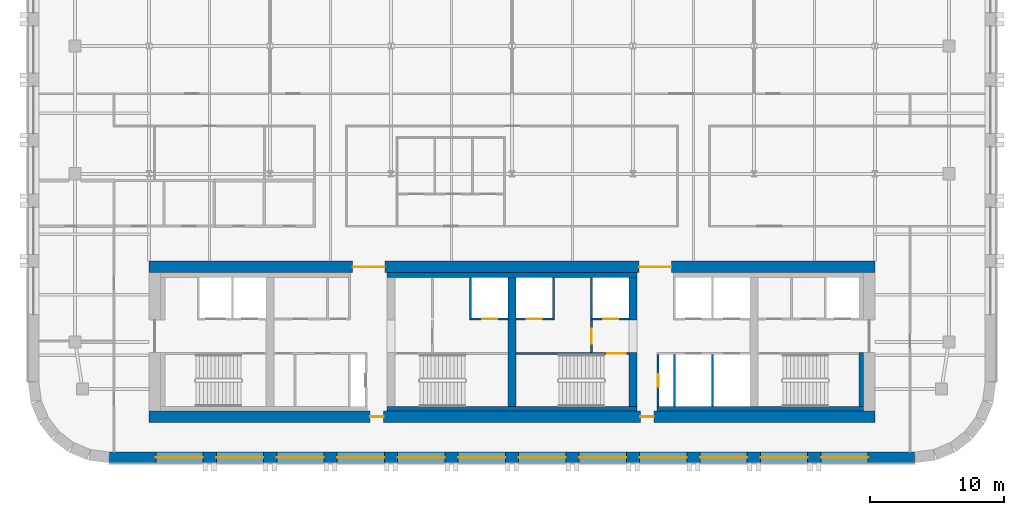
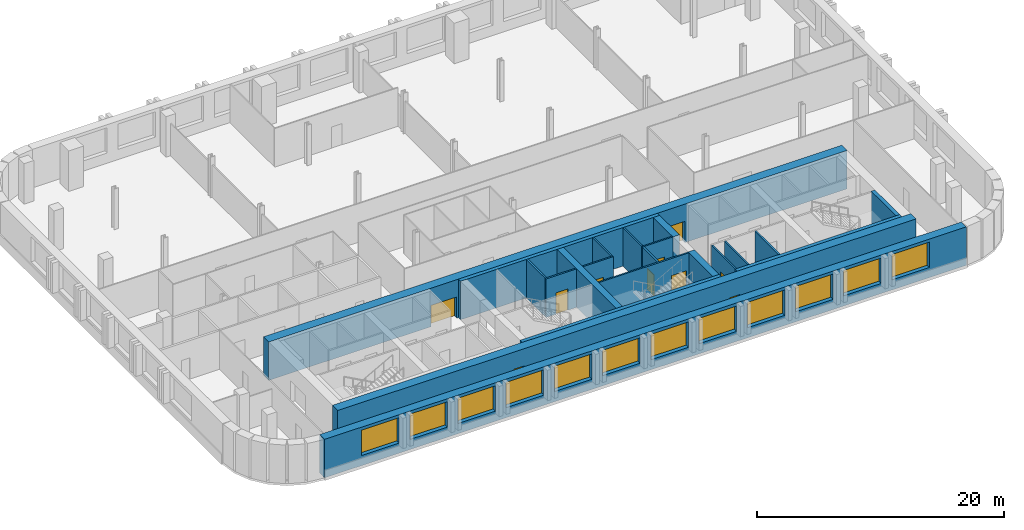
# One storey, part 5 of 10: 21 walls, 12 windows, 10 doors, 22 openings.
"""IFC4 building model written with IfcOpenShell, lengths in metres."""

from ifc_helpers import new_model, si_unit, direction, frame, frame_2d, origin, place, context, subcontext, project, spatial, rectangle, extrude, material, layer, layer_set, type_object, element, fill, save


model = new_model("IFC4")

# Units and contexts
model_context = context("Model", 3, precision=1e-05, world=origin(), true_north=direction((0.0, 1.0)))
body_context = subcontext(model_context, "Body", "Model", "MODEL_VIEW")
ifc_project = project(units=[si_unit("LENGTHUNIT", "METRE"), si_unit("AREAUNIT", "SQUARE_METRE"), si_unit("VOLUMEUNIT", "CUBIC_METRE"), si_unit("PLANEANGLEUNIT", "RADIAN"), si_unit("MASSUNIT", "GRAM", prefix="KILO")], contexts=[model_context])

# Site, building, storey
site_placement = place(None, origin())
site = spatial("IfcSite", under=ifc_project, at=site_placement, CompositionType="ELEMENT")
building_placement = place(site_placement, origin())
building = spatial("IfcBuilding", under=site, at=building_placement, Name="Zellij Exchange Tower", CompositionType="ELEMENT")
storey_placement = place(building_placement, frame((0.0, 0.0, 192.5)))
storey = spatial("IfcBuildingStorey", under=building, at=storey_placement, Name="L44", CompositionType="ELEMENT", Elevation=192.5)

# Walls
ifc_material_1 = material(Name="Concrete C60/75", Category="concrete")
ifc_layer_1 = layer(ifc_material_1, 0.60009765625)
ifc_layer_set_1 = layer_set([ifc_layer_1], Name="Concrete C60/75")
wall_type_1 = type_object("IfcWallType", Name="CORE-CW 600 C60/75", PredefinedType="SHEAR", material=ifc_layer_set_1)
wall_1_placement = place(storey_placement, frame((0.0, -12.800048828125, 0.0), z_axis=(0.0, 0.0, 1.0), x_axis=(0.0, 1.0, 0.0)))
element("IfcWall", 1, at=wall_1_placement, inside=storey, type_object=wall_type_1, Name="Core cross wall x 0 L44", PredefinedType="SHEAR", context=body_context, shape_type="SweptSolid", body=[
    extrude(rectangle(XDim=9.60009765625, YDim=0.60009765625, at=frame_2d((4.800048828125, 0.0))), origin(), (0.0, 0.0, 1.0), 3.800048828125),
])
wall_2_placement = place(storey_placement, frame((9.0, -12.800048828125, 0.0), z_axis=(0.0, 0.0, 1.0), x_axis=(0.0, 1.0, 0.0)))
element("IfcWall", 2, at=wall_2_placement, inside=storey, type_object=wall_type_1, Name="Core cross wall pier x 9 a L44", PredefinedType="SHEAR", context=body_context, shape_type="SweptSolid", body=[
    extrude(rectangle(XDim=4.0, YDim=0.60009765625, at=frame_2d((2.0, 0.0))), origin(), (0.0, 0.0, 1.0), 3.800048828125),
])
wall_3_placement = place(storey_placement, frame((9.0, -6.375, 0.0), z_axis=(0.0, 0.0, 1.0), x_axis=(0.0, 1.0, 0.0)))
element("IfcWall", 3, at=wall_3_placement, inside=storey, type_object=wall_type_1, Name="Core cross wall pier x 9 b L44", PredefinedType="SHEAR", context=body_context, shape_type="SweptSolid", body=[
    extrude(rectangle(XDim=3.175048828125, YDim=0.60009765625, at=frame_2d((1.58740234375, 0.0))), origin(), (0.0, 0.0, 1.0), 3.800048828125),
])
ifc_material_2 = material(Name="Concrete C30/37", Category="concrete")
ifc_layer_2 = layer(ifc_material_2, 0.35009765625)
ifc_layer_set_2 = layer_set([ifc_layer_2], Name="Concrete C30/37")
wall_type_2 = type_object("IfcWallType", Name="CORE-LW 350 C30/37", PredefinedType="SHEAR", material=ifc_layer_set_2)
for number, where, z_axis, x_axis, name in (
    (4, (-9.300048828125, -3.02490234375, 0.0), (0.0, 0.0, 1.0), (1.0, 0.0, 0.0), "Core wall lining front.1 L44"),
    (5, (-9.300048828125, -12.97509765625, 0.0), (0.0, 0.0, 1.0), (1.0, 0.0, 0.0), "Core wall lining rear.1 L44"),
):
    element("IfcWall", number, at=place(storey_placement, frame(where, z_axis=z_axis, x_axis=x_axis)), inside=storey, type_object=wall_type_2, Name=name, PredefinedType="SHEAR", context=body_context, shape_type="SweptSolid", body=[
        extrude(rectangle(XDim=18.60009765625, YDim=0.35009765625, at=frame_2d((9.300048828125, 0.0))), origin(), (0.0, 0.0, 1.0), 3.800048828125),
    ])
wall_4_placement = place(storey_placement, frame((10.800048828125, -12.97509765625, 0.0), z_axis=(0.0, 0.0, 1.0), x_axis=(1.0, 0.0, 0.0)))
element("IfcWall", 6, at=wall_4_placement, inside=storey, type_object=wall_type_2, Name="Core wall lining rear.2 L44", PredefinedType="SHEAR", context=body_context, shape_type="SweptSolid", body=[
    extrude(rectangle(XDim=15.349853515625, YDim=0.35009765625, at=frame_2d((7.6748046875, 0.0))), origin(), (0.0, 0.0, 1.0), 3.800048828125),
])
wall_5_placement = place(storey_placement, frame((25.97509765625, -12.800048828125, 0.0), z_axis=(0.0, 0.0, 1.0), x_axis=(0.0, 1.0, 0.0)))
element("IfcWall", 7, at=wall_5_placement, inside=storey, type_object=wall_type_2, Name="Core wall lining end e.0 L44", PredefinedType="SHEAR", context=body_context, shape_type="SweptSolid", body=[
    extrude(rectangle(XDim=4.0, YDim=0.35009765625, at=frame_2d((2.0, 0.0))), origin(), (0.0, 0.0, 1.0), 3.800048828125),
])

# Wall, opening, door
ifc_material_3 = material(Name="Gypsum shaft wall system")
ifc_layer_3 = layer(ifc_material_3, 0.14990234375)
ifc_layer_set_3 = layer_set([ifc_layer_3], Name="Gypsum shaft wall system")
wall_type_3 = type_object("IfcWallType", Name="CORE-PW 150 Firefighting lobby wall", PredefinedType="PARTITIONING", material=ifc_layer_set_3)
wall_6_placement = place(storey_placement, frame((5.925048828125, -8.800048828125, 0.0), z_axis=(0.0, 0.0, 1.0), x_axis=(0.0, 1.0, 0.0)))
wall_6 = element("IfcWall", 8, at=wall_6_placement, inside=storey, type_object=wall_type_3, Name="Firefighting lobby wall L44", PredefinedType="PARTITIONING", context=body_context, shape_type="SweptSolid", body=[
    extrude(rectangle(XDim=2.425048828125, YDim=0.14990234375, at=frame_2d((1.21240234375, 0.0))), origin(), (0.0, 0.0, 1.0), 3.800048828125),
])
opening_1_placement = place(wall_6_placement, frame((0.662109375, 0.0, 0.0)))
opening_1 = element("IfcOpeningElement", 9, at=opening_1_placement, cuts=wall_6, Name="Opening CA-23.16", PredefinedType="OPENING", context=body_context, shape_type="SweptSolid", body=[
    extrude(rectangle(XDim=1.10009765625, YDim=2.10009765625, at=frame_2d((0.550048828125, 1.050048828125))), frame((0.0, 0.0869140625, 0.0), z_axis=(0.0, -1.0, 0.0), x_axis=(1.0, 0.0, 0.0)), (0.0, 0.0, 1.0), 0.173828125),
])
ifc_material_4 = material(Name="Hollow metal fire door")
door_type_1 = type_object("IfcDoorType", Name="CORE-D F Firefighting lobby door 1100x2100 1 HR", OperationType="NOTDEFINED", PredefinedType="DOOR", material=ifc_material_4)
door_1_placement = place(opening_1_placement, origin())
door_1 = element("IfcDoor", 10, at=door_1_placement, inside=storey, type_object=door_type_1, Name="Firefighting lobby door CA-23.16", OperationType="SINGLE_SWING_RIGHT", OverallHeight=2.10009765625, OverallWidth=1.10009765625, PredefinedType="DOOR", context=body_context, shape_type="SweptSolid", body=[
    extrude(rectangle(XDim=1.10009765625, YDim=2.10009765625, at=frame_2d((0.550048828125, 1.050048828125))), frame((0.0, 0.02490234375, 0.0), z_axis=(0.0, -1.0, 0.0), x_axis=(1.0, 0.0, 0.0)), (0.0, 0.0, 1.0), 0.050048828125),
])
fill(opening_1, door_1)

ifc_material_5 = material(Name="Gypsum board partition")
ifc_layer_4 = layer(ifc_material_5, 0.14990234375)
ifc_layer_set_4 = layer_set([ifc_layer_4], Name="Gypsum board partition")
wall_type_4 = type_object("IfcWallType", Name="CORE-PW 150 Lift lobby wall", PredefinedType="PARTITIONING", material=ifc_layer_set_4)
wall_7_placement = place(storey_placement, frame((10.875, -12.800048828125, 0.0), z_axis=(0.0, 0.0, 1.0), x_axis=(0.0, 1.0, 0.0)))
wall_7 = element("IfcWall", 11, at=wall_7_placement, inside=storey, type_object=wall_type_4, Name="Lift lobby wall L44", PredefinedType="PARTITIONING", context=body_context, shape_type="SweptSolid", body=[
    extrude(rectangle(XDim=3.85009765625, YDim=0.14990234375, at=frame_2d((1.925048828125, 0.0))), origin(), (0.0, 0.0, 1.0), 3.800048828125),
])
opening_2_placement = place(wall_7_placement, frame((1.47509765625, 0.0, 0.0)))
opening_2 = element("IfcOpeningElement", 12, at=opening_2_placement, cuts=wall_7, Name="Opening CA-23.21", PredefinedType="OPENING", context=body_context, shape_type="SweptSolid", body=[
    extrude(rectangle(XDim=0.89990234375, YDim=2.10009765625, at=frame_2d((0.449951171875, 1.050048828125))), frame((0.0, 0.0869140625, 0.0), z_axis=(0.0, -1.0, 0.0), x_axis=(1.0, 0.0, 0.0)), (0.0, 0.0, 1.0), 0.173828125),
])
door_type_2 = type_object("IfcDoorType", Name="CORE-D RD Riser door 900x2100 1.5 HR", OperationType="NOTDEFINED", PredefinedType="DOOR", material=ifc_material_4)
door_2_placement = place(opening_2_placement, origin())
door_2 = element("IfcDoor", 13, at=door_2_placement, inside=storey, type_object=door_type_2, Name="Riser door CA-23.21", OperationType="SINGLE_SWING_LEFT", OverallHeight=2.10009765625, OverallWidth=0.89990234375, PredefinedType="DOOR", context=body_context, shape_type="SweptSolid", body=[
    extrude(rectangle(XDim=0.89990234375, YDim=2.10009765625, at=frame_2d((0.449951171875, 1.050048828125))), frame((0.0, 0.02490234375, 0.0), z_axis=(0.0, -1.0, 0.0), x_axis=(1.0, 0.0, 0.0)), (0.0, 0.0, 1.0), 0.050048828125),
])
fill(opening_2, door_2)

# Walls
ifc_layer_5 = layer(ifc_material_3, 0.14990234375)
ifc_layer_set_5 = layer_set([ifc_layer_5], Name="Gypsum shaft wall system")
wall_type_5 = type_object("IfcWallType", Name="CORE-PW 150 Lift shaft wall", PredefinedType="PARTITIONING", material=ifc_layer_set_5)
for number, where, z_axis, x_axis, name in (
    (14, (-3.074951171875, -6.22509765625, 0.0), (0.0, 0.0, 1.0), (0.0, 1.0, 0.0), "Lift shaft wall L44"),
    (15, (3.074951171875, -6.22509765625, 0.0), (0.0, 0.0, 1.0), (0.0, 1.0, 0.0), "Lift shaft wall L44"),
    (16, (5.925048828125, -6.22509765625, 0.0), (0.0, 0.0, 1.0), (0.0, 1.0, 0.0), "Lift shaft wall L44"),
):
    element("IfcWall", number, at=place(storey_placement, frame(where, z_axis=z_axis, x_axis=x_axis)), inside=storey, type_object=wall_type_5, Name=name, PredefinedType="PARTITIONING", context=body_context, shape_type="SweptSolid", body=[
        extrude(rectangle(XDim=3.025146484375, YDim=0.14990234375, at=frame_2d((1.5126953125, 0.0))), origin(), (0.0, 0.0, 1.0), 3.800048828125),
    ])
for number, where, z_axis, x_axis, name in (
    (17, (12.074951171875, -12.800048828125, 0.0), (0.0, 0.0, 1.0), (0.0, 1.0, 0.0), "Lift shaft wall L44"),
    (18, (14.925048828125, -12.800048828125, 0.0), (0.0, 0.0, 1.0), (0.0, 1.0, 0.0), "Lift shaft wall L44"),
):
    element("IfcWall", number, at=place(storey_placement, frame(where, z_axis=z_axis, x_axis=x_axis)), inside=storey, type_object=wall_type_5, Name=name, PredefinedType="PARTITIONING", context=body_context, shape_type="SweptSolid", body=[
        extrude(rectangle(XDim=3.85009765625, YDim=0.14990234375, at=frame_2d((1.925048828125, 0.0))), origin(), (0.0, 0.0, 1.0), 3.800048828125),
    ])

# Wall, opening, door
wall_8_placement = place(storey_placement, frame((-3.14990234375, -6.300048828125, 0.0), z_axis=(0.0, 0.0, 1.0), x_axis=(1.0, 0.0, 0.0)))
wall_8 = element("IfcWall", 19, at=wall_8_placement, inside=storey, type_object=wall_type_5, Name="Lift shaft wall L44", PredefinedType="PARTITIONING", context=body_context, shape_type="SweptSolid", body=[
    extrude(rectangle(XDim=2.849853515625, YDim=0.14990234375, at=frame_2d((1.4248046875, 0.0))), origin(), (0.0, 0.0, 1.0), 3.800048828125),
])
opening_3_placement = place(wall_8_placement, frame((0.949951171875, 0.0, 0.0)))
opening_3 = element("IfcOpeningElement", 20, at=opening_3_placement, cuts=wall_8, Name="Opening CA-23.14", PredefinedType="OPENING", context=body_context, shape_type="SweptSolid", body=[
    extrude(rectangle(XDim=1.10009765625, YDim=2.10009765625, at=frame_2d((0.550048828125, 1.050048828125))), frame((0.0, 0.0869140625, 0.0), z_axis=(0.0, -1.0, 0.0), x_axis=(1.0, 0.0, 0.0)), (0.0, 0.0, 1.0), 0.173828125),
])
door_type_3 = type_object("IfcDoorType", Name="CORE-D LD Lift landing door 1100x2100 1.5 HR", OperationType="NOTDEFINED", PredefinedType="DOOR", material=ifc_material_4)
door_3_placement = place(opening_3_placement, origin())
door_3 = element("IfcDoor", 21, at=door_3_placement, inside=storey, type_object=door_type_3, Name="Lift landing door CA-23.14", OperationType="SLIDING_TO_RIGHT", OverallHeight=2.10009765625, OverallWidth=1.10009765625, PredefinedType="DOOR", context=body_context, shape_type="SweptSolid", body=[
    extrude(rectangle(XDim=1.10009765625, YDim=2.10009765625, at=frame_2d((0.550048828125, 1.050048828125))), frame((0.0, 0.02490234375, 0.0), z_axis=(0.0, -1.0, 0.0), x_axis=(1.0, 0.0, 0.0)), (0.0, 0.0, 1.0), 0.050048828125),
])
fill(opening_3, door_3)

wall_9_placement = place(storey_placement, frame((0.300048828125, -6.300048828125, 0.0), z_axis=(0.0, 0.0, 1.0), x_axis=(1.0, 0.0, 0.0)))
wall_9 = element("IfcWall", 22, at=wall_9_placement, inside=storey, type_object=wall_type_5, Name="Lift shaft wall L44", PredefinedType="PARTITIONING", context=body_context, shape_type="SweptSolid", body=[
    extrude(rectangle(XDim=2.849853515625, YDim=0.14990234375, at=frame_2d((1.4248046875, 0.0))), origin(), (0.0, 0.0, 1.0), 3.800048828125),
])
opening_4_placement = place(wall_9_placement, frame((0.800048828125, 0.0, 0.0)))
opening_4 = element("IfcOpeningElement", 23, at=opening_4_placement, cuts=wall_9, Name="Opening CA-23.15", PredefinedType="OPENING", context=body_context, shape_type="SweptSolid", body=[
    extrude(rectangle(XDim=1.10009765625, YDim=2.10009765625, at=frame_2d((0.550048828125, 1.050048828125))), frame((0.0, 0.0869140625, 0.0), z_axis=(0.0, -1.0, 0.0), x_axis=(1.0, 0.0, 0.0)), (0.0, 0.0, 1.0), 0.173828125),
])
door_4_placement = place(opening_4_placement, origin())
door_4 = element("IfcDoor", 24, at=door_4_placement, inside=storey, type_object=door_type_3, Name="Lift landing door CA-23.15", OperationType="SLIDING_TO_LEFT", OverallHeight=2.10009765625, OverallWidth=1.10009765625, PredefinedType="DOOR", context=body_context, shape_type="SweptSolid", body=[
    extrude(rectangle(XDim=1.10009765625, YDim=2.10009765625, at=frame_2d((0.550048828125, 1.050048828125))), frame((0.0, 0.02490234375, 0.0), z_axis=(0.0, -1.0, 0.0), x_axis=(1.0, 0.0, 0.0)), (0.0, 0.0, 1.0), 0.050048828125),
])
fill(opening_4, door_4)

wall_10_placement = place(storey_placement, frame((5.85009765625, -6.300048828125, 0.0), z_axis=(0.0, 0.0, 1.0), x_axis=(1.0, 0.0, 0.0)))
wall_10 = element("IfcWall", 25, at=wall_10_placement, inside=storey, type_object=wall_type_5, Name="Lift shaft wall L44", PredefinedType="PARTITIONING", context=body_context, shape_type="SweptSolid", body=[
    extrude(rectangle(XDim=2.849853515625, YDim=0.14990234375, at=frame_2d((1.4248046875, 0.0))), origin(), (0.0, 0.0, 1.0), 3.800048828125),
])
opening_5_placement = place(wall_10_placement, frame((0.949951171875, 0.0, 0.0)))
opening_5 = element("IfcOpeningElement", 26, at=opening_5_placement, cuts=wall_10, Name="Opening CA-23.17", PredefinedType="OPENING", context=body_context, shape_type="SweptSolid", body=[
    extrude(rectangle(XDim=1.10009765625, YDim=2.10009765625, at=frame_2d((0.550048828125, 1.050048828125))), frame((0.0, 0.0869140625, 0.0), z_axis=(0.0, -1.0, 0.0), x_axis=(1.0, 0.0, 0.0)), (0.0, 0.0, 1.0), 0.173828125),
])
door_5_placement = place(opening_5_placement, origin())
door_5 = element("IfcDoor", 27, at=door_5_placement, inside=storey, type_object=door_type_3, Name="Lift landing door CA-23.17", OperationType="SLIDING_TO_LEFT", OverallHeight=2.10009765625, OverallWidth=1.10009765625, PredefinedType="DOOR", context=body_context, shape_type="SweptSolid", body=[
    extrude(rectangle(XDim=1.10009765625, YDim=2.10009765625, at=frame_2d((0.550048828125, 1.050048828125))), frame((0.0, 0.02490234375, 0.0), z_axis=(0.0, -1.0, 0.0), x_axis=(1.0, 0.0, 0.0)), (0.0, 0.0, 1.0), 0.050048828125),
])
fill(opening_5, door_5)

# Wall, openings, doors
ifc_layer_6 = layer(ifc_material_1, 0.85009765625)
ifc_layer_set_6 = layer_set([ifc_layer_6], Name="Concrete C60/75")
wall_type_6 = type_object("IfcWallType", Name="CORE-SW 850 C60/75", PredefinedType="SHEAR", material=ifc_layer_set_6)
wall_11_placement = place(storey_placement, frame((-27.0, -2.425048828125, 0.0), z_axis=(0.0, 0.0, 1.0), x_axis=(1.0, 0.0, 0.0)))
wall_11 = element("IfcWall", 28, at=wall_11_placement, inside=storey, type_object=wall_type_6, Name="Core shear wall front L44", PredefinedType="SHEAR", context=body_context, shape_type="SweptSolid", body=[
    extrude(rectangle(XDim=54.0, YDim=0.85009765625, at=frame_2d((27.0, 0.0))), origin(), (0.0, 0.0, 1.0), 3.800048828125),
])
opening_6_placement = place(wall_11_placement, frame((15.14990234375, 0.0, 0.0)))
opening_6 = element("IfcOpeningElement", 29, at=opening_6_placement, cuts=wall_11, Name="Opening CA-23.10", PredefinedType="OPENING", context=body_context, shape_type="SweptSolid", body=[
    extrude(rectangle(XDim=2.39990234375, YDim=2.10009765625, at=frame_2d((1.199951171875, 1.050048828125))), frame((0.0, 0.43701171875, 0.0), z_axis=(0.0, -1.0, 0.0), x_axis=(1.0, 0.0, 0.0)), (0.0, 0.0, 1.0), 0.8740234375),
])
opening_7_placement = place(wall_11_placement, frame((36.449951171875, 0.0, 0.0)))
opening_7 = element("IfcOpeningElement", 30, at=opening_7_placement, cuts=wall_11, Name="Opening CA-23.20", PredefinedType="OPENING", context=body_context, shape_type="SweptSolid", body=[
    extrude(rectangle(XDim=2.39990234375, YDim=2.10009765625, at=frame_2d((1.199951171875, 1.050048828125))), frame((0.0, 0.43701171875, 0.0), z_axis=(0.0, -1.0, 0.0), x_axis=(1.0, 0.0, 0.0)), (0.0, 0.0, 1.0), 0.8740234375),
])
door_type_4 = type_object("IfcDoorType", Name="CORE-D CE Core entrance door 2400x2100 20 MIN", OperationType="NOTDEFINED", PredefinedType="DOOR", material=ifc_material_4)
door_6_placement = place(opening_6_placement, origin())
door_6 = element("IfcDoor", 31, at=door_6_placement, inside=storey, type_object=door_type_4, Name="Core entrance door CA-23.10", OperationType="DOUBLE_DOOR_SINGLE_SWING", OverallHeight=2.10009765625, OverallWidth=2.39990234375, PredefinedType="DOOR", context=body_context, shape_type="SweptSolid", body=[
    extrude(rectangle(XDim=2.39990234375, YDim=2.10009765625, at=frame_2d((1.199951171875, 1.050048828125))), frame((0.0, 0.02490234375, 0.0), z_axis=(0.0, -1.0, 0.0), x_axis=(1.0, 0.0, 0.0)), (0.0, 0.0, 1.0), 0.050048828125),
])
fill(opening_6, door_6)
door_7_placement = place(opening_7_placement, origin())
door_7 = element("IfcDoor", 32, at=door_7_placement, inside=storey, type_object=door_type_4, Name="Core entrance door CA-23.20", OperationType="DOUBLE_DOOR_SINGLE_SWING", OverallHeight=2.10009765625, OverallWidth=2.39990234375, PredefinedType="DOOR", context=body_context, shape_type="SweptSolid", body=[
    extrude(rectangle(XDim=2.39990234375, YDim=2.10009765625, at=frame_2d((1.199951171875, 1.050048828125))), frame((0.0, 0.02490234375, 0.0), z_axis=(0.0, -1.0, 0.0), x_axis=(1.0, 0.0, 0.0)), (0.0, 0.0, 1.0), 0.050048828125),
])
fill(opening_7, door_7)

wall_12_placement = place(storey_placement, frame((-27.0, -13.574951171875, 0.0), z_axis=(0.0, 0.0, 1.0), x_axis=(1.0, 0.0, 0.0)))
wall_12 = element("IfcWall", 33, at=wall_12_placement, inside=storey, type_object=wall_type_6, Name="Core shear wall rear L44", PredefinedType="SHEAR", context=body_context, shape_type="SweptSolid", body=[
    extrude(rectangle(XDim=54.0, YDim=0.85009765625, at=frame_2d((27.0, 0.0))), origin(), (0.0, 0.0, 1.0), 3.800048828125),
])
opening_8_placement = place(wall_12_placement, frame((16.449951171875, 0.0, 0.0)))
opening_8 = element("IfcOpeningElement", 34, at=opening_8_placement, cuts=wall_12, Name="Opening CA-23.11", PredefinedType="OPENING", context=body_context, shape_type="SweptSolid", body=[
    extrude(rectangle(XDim=1.0, YDim=2.10009765625, at=frame_2d((0.5, 1.050048828125))), frame((0.0, 0.43701171875, 0.0), z_axis=(0.0, -1.0, 0.0), x_axis=(1.0, 0.0, 0.0)), (0.0, 0.0, 1.0), 0.8740234375),
])
opening_9_placement = place(wall_12_placement, frame((36.550048828125, 0.0, 0.0)))
opening_9 = element("IfcOpeningElement", 35, at=opening_9_placement, cuts=wall_12, Name="Opening CA-23.19", PredefinedType="OPENING", context=body_context, shape_type="SweptSolid", body=[
    extrude(rectangle(XDim=1.0, YDim=2.10009765625, at=frame_2d((0.5, 1.050048828125))), frame((0.0, 0.43701171875, 0.0), z_axis=(0.0, -1.0, 0.0), x_axis=(1.0, 0.0, 0.0)), (0.0, 0.0, 1.0), 0.8740234375),
])
door_type_5 = type_object("IfcDoorType", Name="CORE-D CR Core rear door 1000x2100 20 MIN", OperationType="NOTDEFINED", PredefinedType="DOOR", material=ifc_material_4)
door_8_placement = place(opening_8_placement, origin())
door_8 = element("IfcDoor", 36, at=door_8_placement, inside=storey, type_object=door_type_5, Name="Core rear door CA-23.11", OperationType="SINGLE_SWING_RIGHT", OverallHeight=2.10009765625, OverallWidth=1.0, PredefinedType="DOOR", context=body_context, shape_type="SweptSolid", body=[
    extrude(rectangle(XDim=1.0, YDim=2.10009765625, at=frame_2d((0.5, 1.050048828125))), frame((0.0, 0.02490234375, 0.0), z_axis=(0.0, -1.0, 0.0), x_axis=(1.0, 0.0, 0.0)), (0.0, 0.0, 1.0), 0.050048828125),
])
fill(opening_8, door_8)
door_9_placement = place(opening_9_placement, origin())
door_9 = element("IfcDoor", 37, at=door_9_placement, inside=storey, type_object=door_type_5, Name="Core rear door CA-23.19", OperationType="SINGLE_SWING_LEFT", OverallHeight=2.10009765625, OverallWidth=1.0, PredefinedType="DOOR", context=body_context, shape_type="SweptSolid", body=[
    extrude(rectangle(XDim=1.0, YDim=2.10009765625, at=frame_2d((0.5, 1.050048828125))), frame((0.0, 0.02490234375, 0.0), z_axis=(0.0, -1.0, 0.0), x_axis=(1.0, 0.0, 0.0)), (0.0, 0.0, 1.0), 0.050048828125),
])
fill(opening_9, door_9)

# Wall, opening, door
ifc_layer_7 = layer(ifc_material_1, 0.14990234375)
ifc_layer_set_7 = layer_set([ifc_layer_7], Name="Concrete C60/75")
wall_type_7 = type_object("IfcWallType", Name="CORE-SWS 150 C60/75", PredefinedType="SHEAR", material=ifc_layer_set_7)
wall_13_placement = place(storey_placement, frame((0.300048828125, -8.875, 0.0), z_axis=(0.0, 0.0, 1.0), x_axis=(1.0, 0.0, 0.0)))
wall_13 = element("IfcWall", 38, at=wall_13_placement, inside=storey, type_object=wall_type_7, Name="Stair enclosure wall L44", PredefinedType="SHEAR", context=body_context, shape_type="SweptSolid", body=[
    extrude(rectangle(XDim=8.39990234375, YDim=0.14990234375, at=frame_2d((4.199951171875, 0.0))), origin(), (0.0, 0.0, 1.0), 3.800048828125),
])
opening_10_placement = place(wall_13_placement, frame((6.77490234375, 0.0, 0.0)))
opening_10 = element("IfcOpeningElement", 39, at=opening_10_placement, cuts=wall_13, Name="Opening CA-23.18", PredefinedType="OPENING", context=body_context, shape_type="SweptSolid", body=[
    extrude(rectangle(XDim=1.39990234375, YDim=2.10009765625, at=frame_2d((0.699951171875, 1.050048828125))), frame((0.0, 0.0869140625, 0.0), z_axis=(0.0, -1.0, 0.0), x_axis=(1.0, 0.0, 0.0)), (0.0, 0.0, 1.0), 0.173828125),
])
door_type_6 = type_object("IfcDoorType", Name="CORE-D SD Stair door 1400x2100 1.5 HR", OperationType="NOTDEFINED", PredefinedType="DOOR", material=ifc_material_4)
door_10_placement = place(opening_10_placement, origin())
door_10 = element("IfcDoor", 40, at=door_10_placement, inside=storey, type_object=door_type_6, Name="Stair door CA-23.18", OperationType="DOUBLE_DOOR_SINGLE_SWING", OverallHeight=2.10009765625, OverallWidth=1.39990234375, PredefinedType="DOOR", context=body_context, shape_type="SweptSolid", body=[
    extrude(rectangle(XDim=1.39990234375, YDim=2.10009765625, at=frame_2d((0.699951171875, 1.050048828125))), frame((0.0, 0.02490234375, 0.0), z_axis=(0.0, -1.0, 0.0), x_axis=(1.0, 0.0, 0.0)), (0.0, 0.0, 1.0), 0.050048828125),
])
fill(opening_10, door_10)

# Wall, openings, windows
ifc_material_6 = material(Name="Precast concrete C40/50", Category="concrete")
ifc_layer_8 = layer(ifc_material_6, 0.800048828125)
ifc_layer_set_8 = layer_set([ifc_layer_8], Name="Precast concrete C40/50")
wall_type_8 = type_object("IfcWallType", Name="ENV-EW1 Precast stone-piered wall 800", PredefinedType="SOLIDWALL", material=ifc_layer_set_8)
wall_14_placement = place(storey_placement, frame((-29.947509765625, -16.60009765625, 0.0), z_axis=(0.0, 0.0, 1.0), x_axis=(1.0, 0.0, 0.0)))
wall_14 = element("IfcWall", 41, at=wall_14_placement, inside=storey, type_object=wall_type_8, Name="fac.L44.00", PredefinedType="SOLIDWALL", context=body_context, shape_type="SweptSolid", body=[
    extrude(rectangle(XDim=59.89501953125, YDim=0.800048828125, at=frame_2d((29.947509765625, 0.0))), origin(), (0.0, 0.0, 1.0), 3.800048828125),
])
opening_11_placement = place(wall_14_placement, frame((3.447509765625, 0.0, 1.0)))
opening_11 = element("IfcOpeningElement", 42, at=opening_11_placement, cuts=wall_14, Name="Opening FZ3.01", PredefinedType="OPENING", context=body_context, shape_type="SweptSolid", body=[
    extrude(rectangle(XDim=3.5, YDim=2.5, at=frame_2d((1.75, 1.25))), frame((0.0, 0.412109375, 0.0), z_axis=(0.0, -1.0, 0.0), x_axis=(1.0, 0.0, 0.0)), (0.0, 0.0, 1.0), 0.823974609375),
])
opening_12_placement = place(wall_14_placement, frame((7.947509765625, 0.0, 1.0)))
opening_12 = element("IfcOpeningElement", 43, at=opening_12_placement, cuts=wall_14, Name="Opening FZ3.02", PredefinedType="OPENING", context=body_context, shape_type="SweptSolid", body=[
    extrude(rectangle(XDim=3.5, YDim=2.5, at=frame_2d((1.75, 1.25))), frame((0.0, 0.412109375, 0.0), z_axis=(0.0, -1.0, 0.0), x_axis=(1.0, 0.0, 0.0)), (0.0, 0.0, 1.0), 0.823974609375),
])
opening_13_placement = place(wall_14_placement, frame((12.447509765625, 0.0, 1.0)))
opening_13 = element("IfcOpeningElement", 44, at=opening_13_placement, cuts=wall_14, Name="Opening FZ3.03", PredefinedType="OPENING", context=body_context, shape_type="SweptSolid", body=[
    extrude(rectangle(XDim=3.5, YDim=2.5, at=frame_2d((1.75, 1.25))), frame((0.0, 0.412109375, 0.0), z_axis=(0.0, -1.0, 0.0), x_axis=(1.0, 0.0, 0.0)), (0.0, 0.0, 1.0), 0.823974609375),
])
opening_14_placement = place(wall_14_placement, frame((16.947509765625, 0.0, 1.0)))
opening_14 = element("IfcOpeningElement", 45, at=opening_14_placement, cuts=wall_14, Name="Opening FZ3.04", PredefinedType="OPENING", context=body_context, shape_type="SweptSolid", body=[
    extrude(rectangle(XDim=3.5, YDim=2.5, at=frame_2d((1.75, 1.25))), frame((0.0, 0.412109375, 0.0), z_axis=(0.0, -1.0, 0.0), x_axis=(1.0, 0.0, 0.0)), (0.0, 0.0, 1.0), 0.823974609375),
])
opening_15_placement = place(wall_14_placement, frame((21.447509765625, 0.0, 1.0)))
opening_15 = element("IfcOpeningElement", 46, at=opening_15_placement, cuts=wall_14, Name="Opening FZ3.05", PredefinedType="OPENING", context=body_context, shape_type="SweptSolid", body=[
    extrude(rectangle(XDim=3.5, YDim=2.5, at=frame_2d((1.75, 1.25))), frame((0.0, 0.412109375, 0.0), z_axis=(0.0, -1.0, 0.0), x_axis=(1.0, 0.0, 0.0)), (0.0, 0.0, 1.0), 0.823974609375),
])
opening_16_placement = place(wall_14_placement, frame((25.947509765625, 0.0, 1.0)))
opening_16 = element("IfcOpeningElement", 47, at=opening_16_placement, cuts=wall_14, Name="Opening FZ3.06", PredefinedType="OPENING", context=body_context, shape_type="SweptSolid", body=[
    extrude(rectangle(XDim=3.5, YDim=2.5, at=frame_2d((1.75, 1.25))), frame((0.0, 0.412109375, 0.0), z_axis=(0.0, -1.0, 0.0), x_axis=(1.0, 0.0, 0.0)), (0.0, 0.0, 1.0), 0.823974609375),
])
opening_17_placement = place(wall_14_placement, frame((30.447509765625, 0.0, 1.0)))
opening_17 = element("IfcOpeningElement", 48, at=opening_17_placement, cuts=wall_14, Name="Opening FZ3.07", PredefinedType="OPENING", context=body_context, shape_type="SweptSolid", body=[
    extrude(rectangle(XDim=3.5, YDim=2.5, at=frame_2d((1.75, 1.25))), frame((0.0, 0.412109375, 0.0), z_axis=(0.0, -1.0, 0.0), x_axis=(1.0, 0.0, 0.0)), (0.0, 0.0, 1.0), 0.823974609375),
])
opening_18_placement = place(wall_14_placement, frame((34.947509765625, 0.0, 1.0)))
opening_18 = element("IfcOpeningElement", 49, at=opening_18_placement, cuts=wall_14, Name="Opening FZ3.08", PredefinedType="OPENING", context=body_context, shape_type="SweptSolid", body=[
    extrude(rectangle(XDim=3.5, YDim=2.5, at=frame_2d((1.75, 1.25))), frame((0.0, 0.412109375, 0.0), z_axis=(0.0, -1.0, 0.0), x_axis=(1.0, 0.0, 0.0)), (0.0, 0.0, 1.0), 0.823974609375),
])
opening_19_placement = place(wall_14_placement, frame((39.447509765625, 0.0, 1.0)))
opening_19 = element("IfcOpeningElement", 50, at=opening_19_placement, cuts=wall_14, Name="Opening FZ3.09", PredefinedType="OPENING", context=body_context, shape_type="SweptSolid", body=[
    extrude(rectangle(XDim=3.5, YDim=2.5, at=frame_2d((1.75, 1.25))), frame((0.0, 0.412109375, 0.0), z_axis=(0.0, -1.0, 0.0), x_axis=(1.0, 0.0, 0.0)), (0.0, 0.0, 1.0), 0.823974609375),
])
opening_20_placement = place(wall_14_placement, frame((43.947509765625, 0.0, 1.0)))
opening_20 = element("IfcOpeningElement", 51, at=opening_20_placement, cuts=wall_14, Name="Opening FZ3.10", PredefinedType="OPENING", context=body_context, shape_type="SweptSolid", body=[
    extrude(rectangle(XDim=3.5, YDim=2.5, at=frame_2d((1.75, 1.25))), frame((0.0, 0.412109375, 0.0), z_axis=(0.0, -1.0, 0.0), x_axis=(1.0, 0.0, 0.0)), (0.0, 0.0, 1.0), 0.823974609375),
])
opening_21_placement = place(wall_14_placement, frame((48.447509765625, 0.0, 1.0)))
opening_21 = element("IfcOpeningElement", 52, at=opening_21_placement, cuts=wall_14, Name="Opening FZ3.11", PredefinedType="OPENING", context=body_context, shape_type="SweptSolid", body=[
    extrude(rectangle(XDim=3.5, YDim=2.5, at=frame_2d((1.75, 1.25))), frame((0.0, 0.412109375, 0.0), z_axis=(0.0, -1.0, 0.0), x_axis=(1.0, 0.0, 0.0)), (0.0, 0.0, 1.0), 0.823974609375),
])
opening_22_placement = place(wall_14_placement, frame((52.947509765625, 0.0, 1.0)))
opening_22 = element("IfcOpeningElement", 53, at=opening_22_placement, cuts=wall_14, Name="Opening FZ3.12", PredefinedType="OPENING", context=body_context, shape_type="SweptSolid", body=[
    extrude(rectangle(XDim=3.5, YDim=2.5, at=frame_2d((1.75, 1.25))), frame((0.0, 0.412109375, 0.0), z_axis=(0.0, -1.0, 0.0), x_axis=(1.0, 0.0, 0.0)), (0.0, 0.0, 1.0), 0.823974609375),
])
ifc_material_7 = material(Name="Aluminium frame with insulating glass", Category="aluminium")
window_type = type_object("IfcWindowType", Name="ENV-W1 Window 3500x2500", PartitioningType="SINGLE_PANEL", PredefinedType="WINDOW", material=ifc_material_7)
window_1_placement = place(opening_11_placement, origin())
window_1 = element("IfcWindow", 54, at=window_1_placement, inside=storey, type_object=window_type, Name="Window FZ3.01", OverallHeight=2.5, OverallWidth=3.5, PartitioningType="SINGLE_PANEL", PredefinedType="WINDOW", context=body_context, shape_type="SweptSolid", body=[
    extrude(rectangle(XDim=3.5, YDim=2.5, at=frame_2d((1.75, 1.25))), frame((0.0, 0.030029296875, 0.0), z_axis=(0.0, -1.0, 0.0), x_axis=(1.0, 0.0, 0.0)), (0.0, 0.0, 1.0), 0.06005859375),
])
fill(opening_11, window_1)
window_2_placement = place(opening_12_placement, origin())
window_2 = element("IfcWindow", 55, at=window_2_placement, inside=storey, type_object=window_type, Name="Window FZ3.02", OverallHeight=2.5, OverallWidth=3.5, PartitioningType="SINGLE_PANEL", PredefinedType="WINDOW", context=body_context, shape_type="SweptSolid", body=[
    extrude(rectangle(XDim=3.5, YDim=2.5, at=frame_2d((1.75, 1.25))), frame((0.0, 0.030029296875, 0.0), z_axis=(0.0, -1.0, 0.0), x_axis=(1.0, 0.0, 0.0)), (0.0, 0.0, 1.0), 0.06005859375),
])
fill(opening_12, window_2)
window_3_placement = place(opening_13_placement, origin())
window_3 = element("IfcWindow", 56, at=window_3_placement, inside=storey, type_object=window_type, Name="Window FZ3.03", OverallHeight=2.5, OverallWidth=3.5, PartitioningType="SINGLE_PANEL", PredefinedType="WINDOW", context=body_context, shape_type="SweptSolid", body=[
    extrude(rectangle(XDim=3.5, YDim=2.5, at=frame_2d((1.75, 1.25))), frame((0.0, 0.030029296875, 0.0), z_axis=(0.0, -1.0, 0.0), x_axis=(1.0, 0.0, 0.0)), (0.0, 0.0, 1.0), 0.06005859375),
])
fill(opening_13, window_3)
window_4_placement = place(opening_14_placement, origin())
window_4 = element("IfcWindow", 57, at=window_4_placement, inside=storey, type_object=window_type, Name="Window FZ3.04", OverallHeight=2.5, OverallWidth=3.5, PartitioningType="SINGLE_PANEL", PredefinedType="WINDOW", context=body_context, shape_type="SweptSolid", body=[
    extrude(rectangle(XDim=3.5, YDim=2.5, at=frame_2d((1.75, 1.25))), frame((0.0, 0.030029296875, 0.0), z_axis=(0.0, -1.0, 0.0), x_axis=(1.0, 0.0, 0.0)), (0.0, 0.0, 1.0), 0.06005859375),
])
fill(opening_14, window_4)
window_5_placement = place(opening_15_placement, origin())
window_5 = element("IfcWindow", 58, at=window_5_placement, inside=storey, type_object=window_type, Name="Window FZ3.05", OverallHeight=2.5, OverallWidth=3.5, PartitioningType="SINGLE_PANEL", PredefinedType="WINDOW", context=body_context, shape_type="SweptSolid", body=[
    extrude(rectangle(XDim=3.5, YDim=2.5, at=frame_2d((1.75, 1.25))), frame((0.0, 0.030029296875, 0.0), z_axis=(0.0, -1.0, 0.0), x_axis=(1.0, 0.0, 0.0)), (0.0, 0.0, 1.0), 0.06005859375),
])
fill(opening_15, window_5)
window_6_placement = place(opening_16_placement, origin())
window_6 = element("IfcWindow", 59, at=window_6_placement, inside=storey, type_object=window_type, Name="Window FZ3.06", OverallHeight=2.5, OverallWidth=3.5, PartitioningType="SINGLE_PANEL", PredefinedType="WINDOW", context=body_context, shape_type="SweptSolid", body=[
    extrude(rectangle(XDim=3.5, YDim=2.5, at=frame_2d((1.75, 1.25))), frame((0.0, 0.030029296875, 0.0), z_axis=(0.0, -1.0, 0.0), x_axis=(1.0, 0.0, 0.0)), (0.0, 0.0, 1.0), 0.06005859375),
])
fill(opening_16, window_6)
window_7_placement = place(opening_17_placement, origin())
window_7 = element("IfcWindow", 60, at=window_7_placement, inside=storey, type_object=window_type, Name="Window FZ3.07", OverallHeight=2.5, OverallWidth=3.5, PartitioningType="SINGLE_PANEL", PredefinedType="WINDOW", context=body_context, shape_type="SweptSolid", body=[
    extrude(rectangle(XDim=3.5, YDim=2.5, at=frame_2d((1.75, 1.25))), frame((0.0, 0.030029296875, 0.0), z_axis=(0.0, -1.0, 0.0), x_axis=(1.0, 0.0, 0.0)), (0.0, 0.0, 1.0), 0.06005859375),
])
fill(opening_17, window_7)
window_8_placement = place(opening_18_placement, origin())
window_8 = element("IfcWindow", 61, at=window_8_placement, inside=storey, type_object=window_type, Name="Window FZ3.08", OverallHeight=2.5, OverallWidth=3.5, PartitioningType="SINGLE_PANEL", PredefinedType="WINDOW", context=body_context, shape_type="SweptSolid", body=[
    extrude(rectangle(XDim=3.5, YDim=2.5, at=frame_2d((1.75, 1.25))), frame((0.0, 0.030029296875, 0.0), z_axis=(0.0, -1.0, 0.0), x_axis=(1.0, 0.0, 0.0)), (0.0, 0.0, 1.0), 0.06005859375),
])
fill(opening_18, window_8)
window_9_placement = place(opening_19_placement, origin())
window_9 = element("IfcWindow", 62, at=window_9_placement, inside=storey, type_object=window_type, Name="Window FZ3.09", OverallHeight=2.5, OverallWidth=3.5, PartitioningType="SINGLE_PANEL", PredefinedType="WINDOW", context=body_context, shape_type="SweptSolid", body=[
    extrude(rectangle(XDim=3.5, YDim=2.5, at=frame_2d((1.75, 1.25))), frame((0.0, 0.030029296875, 0.0), z_axis=(0.0, -1.0, 0.0), x_axis=(1.0, 0.0, 0.0)), (0.0, 0.0, 1.0), 0.06005859375),
])
fill(opening_19, window_9)
window_10_placement = place(opening_20_placement, origin())
window_10 = element("IfcWindow", 63, at=window_10_placement, inside=storey, type_object=window_type, Name="Window FZ3.10", OverallHeight=2.5, OverallWidth=3.5, PartitioningType="SINGLE_PANEL", PredefinedType="WINDOW", context=body_context, shape_type="SweptSolid", body=[
    extrude(rectangle(XDim=3.5, YDim=2.5, at=frame_2d((1.75, 1.25))), frame((0.0, 0.030029296875, 0.0), z_axis=(0.0, -1.0, 0.0), x_axis=(1.0, 0.0, 0.0)), (0.0, 0.0, 1.0), 0.06005859375),
])
fill(opening_20, window_10)
window_11_placement = place(opening_21_placement, origin())
window_11 = element("IfcWindow", 64, at=window_11_placement, inside=storey, type_object=window_type, Name="Window FZ3.11", OverallHeight=2.5, OverallWidth=3.5, PartitioningType="SINGLE_PANEL", PredefinedType="WINDOW", context=body_context, shape_type="SweptSolid", body=[
    extrude(rectangle(XDim=3.5, YDim=2.5, at=frame_2d((1.75, 1.25))), frame((0.0, 0.030029296875, 0.0), z_axis=(0.0, -1.0, 0.0), x_axis=(1.0, 0.0, 0.0)), (0.0, 0.0, 1.0), 0.06005859375),
])
fill(opening_21, window_11)
window_12_placement = place(opening_22_placement, origin())
window_12 = element("IfcWindow", 65, at=window_12_placement, inside=storey, type_object=window_type, Name="Window FZ3.12", OverallHeight=2.5, OverallWidth=3.5, PartitioningType="SINGLE_PANEL", PredefinedType="WINDOW", context=body_context, shape_type="SweptSolid", body=[
    extrude(rectangle(XDim=3.5, YDim=2.5, at=frame_2d((1.75, 1.25))), frame((0.0, 0.030029296875, 0.0), z_axis=(0.0, -1.0, 0.0), x_axis=(1.0, 0.0, 0.0)), (0.0, 0.0, 1.0), 0.06005859375),
])
fill(opening_22, window_12)

save(model, "model.ifc")
